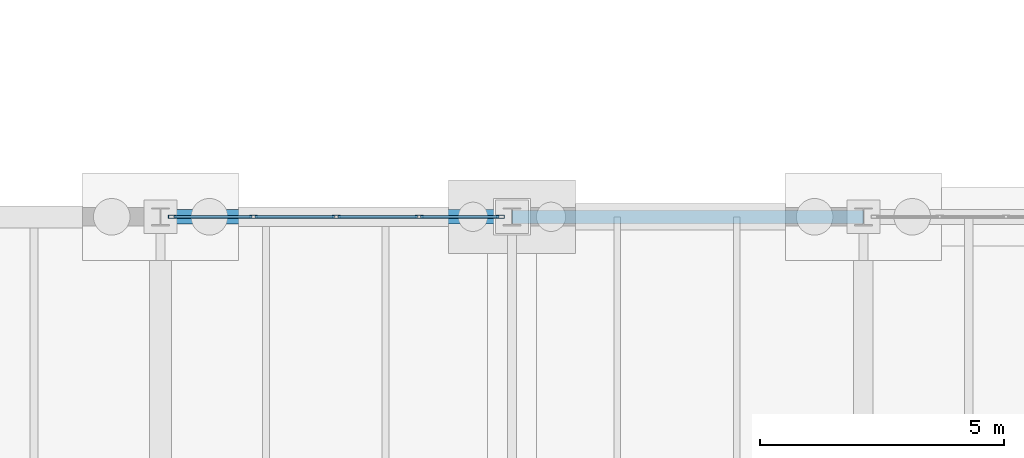
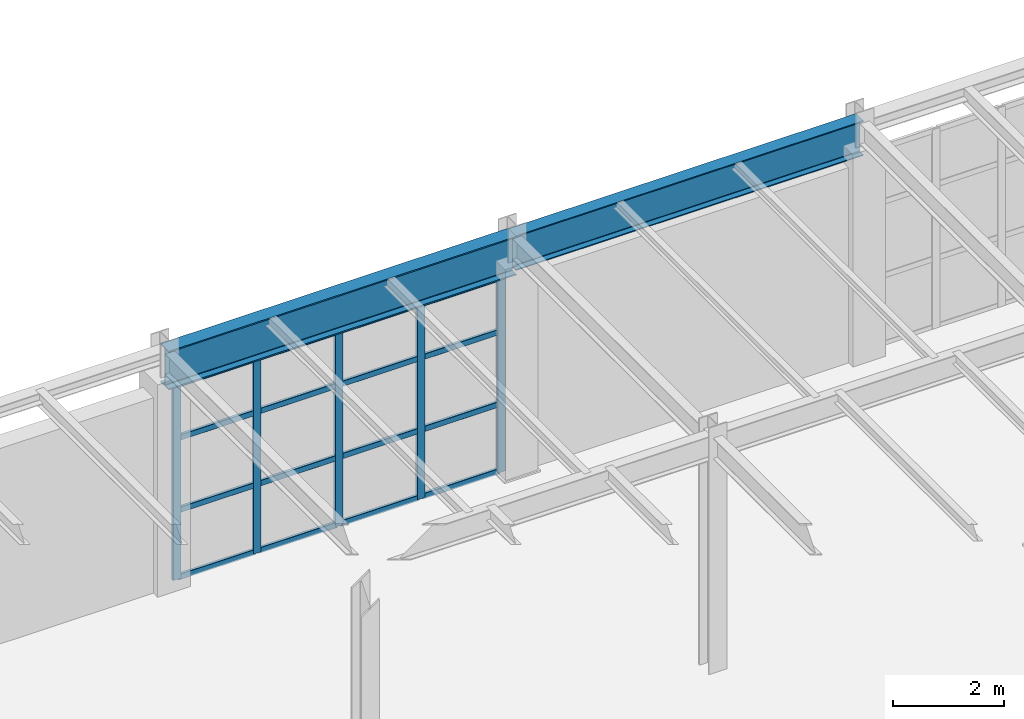
# One storey, part 98 of 293: 21 members, 2 beams, 1 element without a shape of its own.
"""IFC4 building model written with IfcOpenShell, lengths in metres."""

from ifc_helpers import new_model, si_unit, direction, frame, origin, origin_2d, place, context, subcontext, project, spatial, hollow_rectangle, i_section, extrude, material, layer, layer_set, material_profile, profile_set, type_object, element, aggregate, save


model = new_model("IFC4")

# Units and contexts
model_context = context("Model", 3, precision=1e-05, world=origin(), true_north=direction((0.0, 1.0)))
body_context = subcontext(model_context, "Body", "Model", "MODEL_VIEW")
ifc_project = project(units=[si_unit("LENGTHUNIT", "METRE"), si_unit("AREAUNIT", "SQUARE_METRE"), si_unit("VOLUMEUNIT", "CUBIC_METRE"), si_unit("PLANEANGLEUNIT", "RADIAN"), si_unit("MASSUNIT", "GRAM", prefix="KILO")], contexts=[model_context])

# Site, building, storey
site_placement = place(None, origin())
site = spatial("IfcSite", under=ifc_project, at=site_placement, CompositionType="ELEMENT")
building_placement = place(site_placement, origin())
building = spatial("IfcBuilding", under=site, at=building_placement, Name="Kemerveld Promenade Tramway Depot", CompositionType="ELEMENT")
storey_placement = place(building_placement, origin())
storey = spatial("IfcBuildingStorey", under=building, at=storey_placement, Name="L00", CompositionType="ELEMENT", Elevation=0.0)

# Beams
ifc_material_1 = material(Name="Steel S355", Category="steel")
ifc_material_profile_1 = material_profile(ifc_material_1, i_section(OverallWidth=0.293701171875, OverallDepth=0.850830078125, WebThickness=0.01611328125, FlangeThickness=0.02685546875, FilletRadius=0.017822265625, at=origin_2d()), Name="838x292x226 UB")
ifc_profile_set_1 = profile_set([ifc_material_profile_1], Name="Steel S355")
beam_type_1 = type_object("IfcBeamType", Name="BM-G01", PredefinedType="BEAM", material=ifc_profile_set_1)
beam_1_placement = place(storey_placement, frame((7.199951171875, 79.199951171875, 4.724609375), z_axis=(1.0, 0.0, 0.0), x_axis=(0.0, 1.0, 0.0)))
element("IfcBeam", 1, at=beam_1_placement, inside=storey, type_object=beam_type_1, Name="BMX-L00-02-03-M", PredefinedType="BEAM", context=body_context, shape_type="SweptSolid", body=[
    extrude(i_section(OverallWidth=0.293701171875, OverallDepth=0.850830078125, WebThickness=0.01611328125, FlangeThickness=0.02685546875, FilletRadius=0.017822265625, at=origin_2d()), origin(), (0.0, 0.0, 1.0), 7.199951171875),
])
ifc_material_profile_2 = material_profile(ifc_material_1, i_section(OverallWidth=0.2666015625, OverallDepth=0.76220703125, WebThickness=0.014404296875, FlangeThickness=0.021484375, FilletRadius=0.0166015625, at=origin_2d()), Name="762x267x173 UB")
ifc_profile_set_2 = profile_set([ifc_material_profile_2], Name="Steel S355")
beam_type_2 = type_object("IfcBeamType", Name="BM-G02", PredefinedType="BEAM", material=ifc_profile_set_2)
beam_2_placement = place(storey_placement, frame((14.39990234375, 79.199951171875, 4.768798828125), z_axis=(1.0, 0.0, 0.0), x_axis=(0.0, 1.0, 0.0)))
element("IfcBeam", 2, at=beam_2_placement, inside=storey, type_object=beam_type_2, Name="BMX-L00-03-04-M", PredefinedType="BEAM", context=body_context, shape_type="SweptSolid", body=[
    extrude(i_section(OverallWidth=0.2666015625, OverallDepth=0.76220703125, WebThickness=0.014404296875, FlangeThickness=0.021484375, FilletRadius=0.0166015625, at=origin_2d()), origin(), (0.0, 0.0, 1.0), 7.2001953125),
])

# Curtain wall, members
ifc_material_2 = material(Name="Bronze anodised aluminium and solar glass", Category="aluminium")
ifc_layer = layer(ifc_material_2, 0.159912109375)
ifc_layer_set = layer_set([ifc_layer], Name="CW-SYS-05")
curtain_wall_type = type_object("IfcCurtainWallType", Name="CW-SYS-05", PredefinedType="USERDEFINED", material=ifc_layer_set)
curtain_wall_placement = place(storey_placement, origin())
curtain_wall = element("IfcCurtainWall", 3, at=curtain_wall_placement, inside=storey, type_object=curtain_wall_type, Name="CW-L00-V5N-02", ObjectType="GLAZED_CURTAIN_WALL", PredefinedType="USERDEFINED")
ifc_material_3 = material(Name="Bronze anodised aluminium", Category="aluminium")
ifc_material_profile_3 = material_profile(ifc_material_3, hollow_rectangle(XDim=0.06494140625, YDim=0.159912109375, WallThickness=0.00390625, InnerFilletRadius=0.001953125, OuterFilletRadius=0.00390625, at=origin_2d()), Name="CW-MUL-160x65")
ifc_profile_set_3 = profile_set([ifc_material_profile_3], Name="Bronze anodised aluminium")
member_type_1 = type_object("IfcMemberType", Name="CW-MUL-A", PredefinedType="MULLION", material=ifc_profile_set_3)
member_1_placement = place(storey_placement, frame((7.438720703125, 79.199951171875, 0.0), z_axis=(0.0, 0.0, 1.0), x_axis=(0.0, 1.0, 0.0)))
member_1 = element("IfcMember", 4, at=member_1_placement, type_object=member_type_1, Name="CW05 mullion 1", PredefinedType="MULLION", context=body_context, shape_type="SweptSolid", body=[
    extrude(hollow_rectangle(XDim=0.06494140625, YDim=0.159912109375, WallThickness=0.00390625, InnerFilletRadius=0.001953125, OuterFilletRadius=0.00390625, at=origin_2d()), origin(), (0.0, 0.0, 1.0), 4.279296875),
])
member_2_placement = place(storey_placement, frame((9.103271484375, 79.199951171875, 0.0), z_axis=(0.0, 0.0, 1.0), x_axis=(0.0, 1.0, 0.0)))
member_2 = element("IfcMember", 5, at=member_2_placement, type_object=member_type_1, Name="CW05 mullion 2", PredefinedType="MULLION", context=body_context, shape_type="SweptSolid", body=[
    extrude(hollow_rectangle(XDim=0.06494140625, YDim=0.159912109375, WallThickness=0.00390625, InnerFilletRadius=0.001953125, OuterFilletRadius=0.00390625, at=origin_2d()), origin(), (0.0, 0.0, 1.0), 4.279296875),
])
member_3_placement = place(storey_placement, frame((10.800048828125, 79.199951171875, 0.0), z_axis=(0.0, 0.0, 1.0), x_axis=(0.0, 1.0, 0.0)))
member_3 = element("IfcMember", 6, at=member_3_placement, type_object=member_type_1, Name="CW05 mullion 3", PredefinedType="MULLION", context=body_context, shape_type="SweptSolid", body=[
    extrude(hollow_rectangle(XDim=0.06494140625, YDim=0.159912109375, WallThickness=0.00390625, InnerFilletRadius=0.001953125, OuterFilletRadius=0.00390625, at=origin_2d()), origin(), (0.0, 0.0, 1.0), 4.279296875),
])
member_4_placement = place(storey_placement, frame((12.496826171875, 79.199951171875, 0.0), z_axis=(0.0, 0.0, 1.0), x_axis=(0.0, 1.0, 0.0)))
member_4 = element("IfcMember", 7, at=member_4_placement, type_object=member_type_1, Name="CW05 mullion 4", PredefinedType="MULLION", context=body_context, shape_type="SweptSolid", body=[
    extrude(hollow_rectangle(XDim=0.06494140625, YDim=0.159912109375, WallThickness=0.00390625, InnerFilletRadius=0.001953125, OuterFilletRadius=0.00390625, at=origin_2d()), origin(), (0.0, 0.0, 1.0), 4.279296875),
])
member_5_placement = place(storey_placement, frame((14.1611328125, 79.199951171875, 0.0), z_axis=(0.0, 0.0, 1.0), x_axis=(0.0, 1.0, 0.0)))
member_5 = element("IfcMember", 8, at=member_5_placement, type_object=member_type_1, Name="CW05 mullion 5", PredefinedType="MULLION", context=body_context, shape_type="SweptSolid", body=[
    extrude(hollow_rectangle(XDim=0.06494140625, YDim=0.159912109375, WallThickness=0.00390625, InnerFilletRadius=0.001953125, OuterFilletRadius=0.00390625, at=origin_2d()), origin(), (0.0, 0.0, 1.0), 4.279296875),
])
ifc_material_profile_4 = material_profile(ifc_material_3, hollow_rectangle(XDim=0.06005859375, YDim=0.1201171875, WallThickness=0.00390625, InnerFilletRadius=0.001953125, OuterFilletRadius=0.00390625, at=origin_2d()), Name="CW-TRN-120x60")
ifc_profile_set_4 = profile_set([ifc_material_profile_4], Name="Bronze anodised aluminium")
member_type_2 = type_object("IfcMemberType", Name="CW-TRN-A", PredefinedType="USERDEFINED", material=ifc_profile_set_4)
member_6_placement = place(storey_placement, frame((7.47119140625, 79.199951171875, 0.030029296875), z_axis=(1.0, 0.0, 0.0), x_axis=(0.0, 1.0, 0.0)))
member_6 = element("IfcMember", 9, at=member_6_placement, type_object=member_type_2, Name="CW05 transom 1.1", ObjectType="TRANSOM", PredefinedType="USERDEFINED", context=body_context, shape_type="SweptSolid", body=[
    extrude(hollow_rectangle(XDim=0.06005859375, YDim=0.1201171875, WallThickness=0.00390625, InnerFilletRadius=0.001953125, OuterFilletRadius=0.00390625, at=origin_2d()), origin(), (0.0, 0.0, 1.0), 1.599365234375),
])
member_7_placement = place(storey_placement, frame((7.47119140625, 79.199951171875, 1.498046875), z_axis=(1.0, 0.0, 0.0), x_axis=(0.0, 1.0, 0.0)))
member_7 = element("IfcMember", 10, at=member_7_placement, type_object=member_type_2, Name="CW05 transom 1.2", ObjectType="TRANSOM", PredefinedType="USERDEFINED", context=body_context, shape_type="SweptSolid", body=[
    extrude(hollow_rectangle(XDim=0.06005859375, YDim=0.1201171875, WallThickness=0.00390625, InnerFilletRadius=0.001953125, OuterFilletRadius=0.00390625, at=origin_2d()), origin(), (0.0, 0.0, 1.0), 1.599365234375),
])
member_8_placement = place(storey_placement, frame((7.47119140625, 79.199951171875, 3.0810546875), z_axis=(1.0, 0.0, 0.0), x_axis=(0.0, 1.0, 0.0)))
member_8 = element("IfcMember", 11, at=member_8_placement, type_object=member_type_2, Name="CW05 transom 1.3", ObjectType="TRANSOM", PredefinedType="USERDEFINED", context=body_context, shape_type="SweptSolid", body=[
    extrude(hollow_rectangle(XDim=0.06005859375, YDim=0.1201171875, WallThickness=0.00390625, InnerFilletRadius=0.001953125, OuterFilletRadius=0.00390625, at=origin_2d()), origin(), (0.0, 0.0, 1.0), 1.599365234375),
])
member_9_placement = place(storey_placement, frame((7.47119140625, 79.199951171875, 4.249267578125), z_axis=(1.0, 0.0, 0.0), x_axis=(0.0, 1.0, 0.0)))
member_9 = element("IfcMember", 12, at=member_9_placement, type_object=member_type_2, Name="CW05 transom 1.4", ObjectType="TRANSOM", PredefinedType="USERDEFINED", context=body_context, shape_type="SweptSolid", body=[
    extrude(hollow_rectangle(XDim=0.06005859375, YDim=0.1201171875, WallThickness=0.00390625, InnerFilletRadius=0.001953125, OuterFilletRadius=0.00390625, at=origin_2d()), origin(), (0.0, 0.0, 1.0), 1.599365234375),
])
member_10_placement = place(storey_placement, frame((9.1357421875, 79.199951171875, 0.030029296875), z_axis=(1.0, 0.0, 0.0), x_axis=(0.0, 1.0, 0.0)))
member_10 = element("IfcMember", 13, at=member_10_placement, type_object=member_type_2, Name="CW05 transom 2.1", ObjectType="TRANSOM", PredefinedType="USERDEFINED", context=body_context, shape_type="SweptSolid", body=[
    extrude(hollow_rectangle(XDim=0.06005859375, YDim=0.1201171875, WallThickness=0.00390625, InnerFilletRadius=0.001953125, OuterFilletRadius=0.00390625, at=origin_2d()), origin(), (0.0, 0.0, 1.0), 1.6318359375),
])
member_11_placement = place(storey_placement, frame((9.1357421875, 79.199951171875, 1.498046875), z_axis=(1.0, 0.0, 0.0), x_axis=(0.0, 1.0, 0.0)))
member_11 = element("IfcMember", 14, at=member_11_placement, type_object=member_type_2, Name="CW05 transom 2.2", ObjectType="TRANSOM", PredefinedType="USERDEFINED", context=body_context, shape_type="SweptSolid", body=[
    extrude(hollow_rectangle(XDim=0.06005859375, YDim=0.1201171875, WallThickness=0.00390625, InnerFilletRadius=0.001953125, OuterFilletRadius=0.00390625, at=origin_2d()), origin(), (0.0, 0.0, 1.0), 1.6318359375),
])
member_12_placement = place(storey_placement, frame((9.1357421875, 79.199951171875, 3.0810546875), z_axis=(1.0, 0.0, 0.0), x_axis=(0.0, 1.0, 0.0)))
member_12 = element("IfcMember", 15, at=member_12_placement, type_object=member_type_2, Name="CW05 transom 2.3", ObjectType="TRANSOM", PredefinedType="USERDEFINED", context=body_context, shape_type="SweptSolid", body=[
    extrude(hollow_rectangle(XDim=0.06005859375, YDim=0.1201171875, WallThickness=0.00390625, InnerFilletRadius=0.001953125, OuterFilletRadius=0.00390625, at=origin_2d()), origin(), (0.0, 0.0, 1.0), 1.6318359375),
])
member_13_placement = place(storey_placement, frame((9.1357421875, 79.199951171875, 4.249267578125), z_axis=(1.0, 0.0, 0.0), x_axis=(0.0, 1.0, 0.0)))
member_13 = element("IfcMember", 16, at=member_13_placement, type_object=member_type_2, Name="CW05 transom 2.4", ObjectType="TRANSOM", PredefinedType="USERDEFINED", context=body_context, shape_type="SweptSolid", body=[
    extrude(hollow_rectangle(XDim=0.06005859375, YDim=0.1201171875, WallThickness=0.00390625, InnerFilletRadius=0.001953125, OuterFilletRadius=0.00390625, at=origin_2d()), origin(), (0.0, 0.0, 1.0), 1.6318359375),
])
member_14_placement = place(storey_placement, frame((10.83251953125, 79.199951171875, 0.030029296875), z_axis=(1.0, 0.0, 0.0), x_axis=(0.0, 1.0, 0.0)))
member_14 = element("IfcMember", 17, at=member_14_placement, type_object=member_type_2, Name="CW05 transom 3.1", ObjectType="TRANSOM", PredefinedType="USERDEFINED", context=body_context, shape_type="SweptSolid", body=[
    extrude(hollow_rectangle(XDim=0.06005859375, YDim=0.1201171875, WallThickness=0.00390625, InnerFilletRadius=0.001953125, OuterFilletRadius=0.00390625, at=origin_2d()), origin(), (0.0, 0.0, 1.0), 1.6318359375),
])
member_15_placement = place(storey_placement, frame((10.83251953125, 79.199951171875, 1.498046875), z_axis=(1.0, 0.0, 0.0), x_axis=(0.0, 1.0, 0.0)))
member_15 = element("IfcMember", 18, at=member_15_placement, type_object=member_type_2, Name="CW05 transom 3.2", ObjectType="TRANSOM", PredefinedType="USERDEFINED", context=body_context, shape_type="SweptSolid", body=[
    extrude(hollow_rectangle(XDim=0.06005859375, YDim=0.1201171875, WallThickness=0.00390625, InnerFilletRadius=0.001953125, OuterFilletRadius=0.00390625, at=origin_2d()), origin(), (0.0, 0.0, 1.0), 1.6318359375),
])
member_16_placement = place(storey_placement, frame((10.83251953125, 79.199951171875, 3.0810546875), z_axis=(1.0, 0.0, 0.0), x_axis=(0.0, 1.0, 0.0)))
member_16 = element("IfcMember", 19, at=member_16_placement, type_object=member_type_2, Name="CW05 transom 3.3", ObjectType="TRANSOM", PredefinedType="USERDEFINED", context=body_context, shape_type="SweptSolid", body=[
    extrude(hollow_rectangle(XDim=0.06005859375, YDim=0.1201171875, WallThickness=0.00390625, InnerFilletRadius=0.001953125, OuterFilletRadius=0.00390625, at=origin_2d()), origin(), (0.0, 0.0, 1.0), 1.6318359375),
])
member_17_placement = place(storey_placement, frame((10.83251953125, 79.199951171875, 4.249267578125), z_axis=(1.0, 0.0, 0.0), x_axis=(0.0, 1.0, 0.0)))
member_17 = element("IfcMember", 20, at=member_17_placement, type_object=member_type_2, Name="CW05 transom 3.4", ObjectType="TRANSOM", PredefinedType="USERDEFINED", context=body_context, shape_type="SweptSolid", body=[
    extrude(hollow_rectangle(XDim=0.06005859375, YDim=0.1201171875, WallThickness=0.00390625, InnerFilletRadius=0.001953125, OuterFilletRadius=0.00390625, at=origin_2d()), origin(), (0.0, 0.0, 1.0), 1.6318359375),
])
member_18_placement = place(storey_placement, frame((12.529296875, 79.199951171875, 0.030029296875), z_axis=(1.0, 0.0, 0.0), x_axis=(0.0, 1.0, 0.0)))
member_18 = element("IfcMember", 21, at=member_18_placement, type_object=member_type_2, Name="CW05 transom 4.1", ObjectType="TRANSOM", PredefinedType="USERDEFINED", context=body_context, shape_type="SweptSolid", body=[
    extrude(hollow_rectangle(XDim=0.06005859375, YDim=0.1201171875, WallThickness=0.00390625, InnerFilletRadius=0.001953125, OuterFilletRadius=0.00390625, at=origin_2d()), origin(), (0.0, 0.0, 1.0), 1.599365234375),
])
member_19_placement = place(storey_placement, frame((12.529296875, 79.199951171875, 1.498046875), z_axis=(1.0, 0.0, 0.0), x_axis=(0.0, 1.0, 0.0)))
member_19 = element("IfcMember", 22, at=member_19_placement, type_object=member_type_2, Name="CW05 transom 4.2", ObjectType="TRANSOM", PredefinedType="USERDEFINED", context=body_context, shape_type="SweptSolid", body=[
    extrude(hollow_rectangle(XDim=0.06005859375, YDim=0.1201171875, WallThickness=0.00390625, InnerFilletRadius=0.001953125, OuterFilletRadius=0.00390625, at=origin_2d()), origin(), (0.0, 0.0, 1.0), 1.599365234375),
])
member_20_placement = place(storey_placement, frame((12.529296875, 79.199951171875, 3.0810546875), z_axis=(1.0, 0.0, 0.0), x_axis=(0.0, 1.0, 0.0)))
member_20 = element("IfcMember", 23, at=member_20_placement, type_object=member_type_2, Name="CW05 transom 4.3", ObjectType="TRANSOM", PredefinedType="USERDEFINED", context=body_context, shape_type="SweptSolid", body=[
    extrude(hollow_rectangle(XDim=0.06005859375, YDim=0.1201171875, WallThickness=0.00390625, InnerFilletRadius=0.001953125, OuterFilletRadius=0.00390625, at=origin_2d()), origin(), (0.0, 0.0, 1.0), 1.599365234375),
])
member_21_placement = place(storey_placement, frame((12.529296875, 79.199951171875, 4.249267578125), z_axis=(1.0, 0.0, 0.0), x_axis=(0.0, 1.0, 0.0)))
member_21 = element("IfcMember", 24, at=member_21_placement, type_object=member_type_2, Name="CW05 transom 4.4", ObjectType="TRANSOM", PredefinedType="USERDEFINED", context=body_context, shape_type="SweptSolid", body=[
    extrude(hollow_rectangle(XDim=0.06005859375, YDim=0.1201171875, WallThickness=0.00390625, InnerFilletRadius=0.001953125, OuterFilletRadius=0.00390625, at=origin_2d()), origin(), (0.0, 0.0, 1.0), 1.599365234375),
])
aggregate(curtain_wall, [member_1, member_2, member_3, member_4, member_5, member_6, member_7, member_8, member_9, member_10, member_11, member_12, member_13, member_14, member_15, member_16, member_17, member_18, member_19, member_20, member_21])

save(model, "model.ifc")
